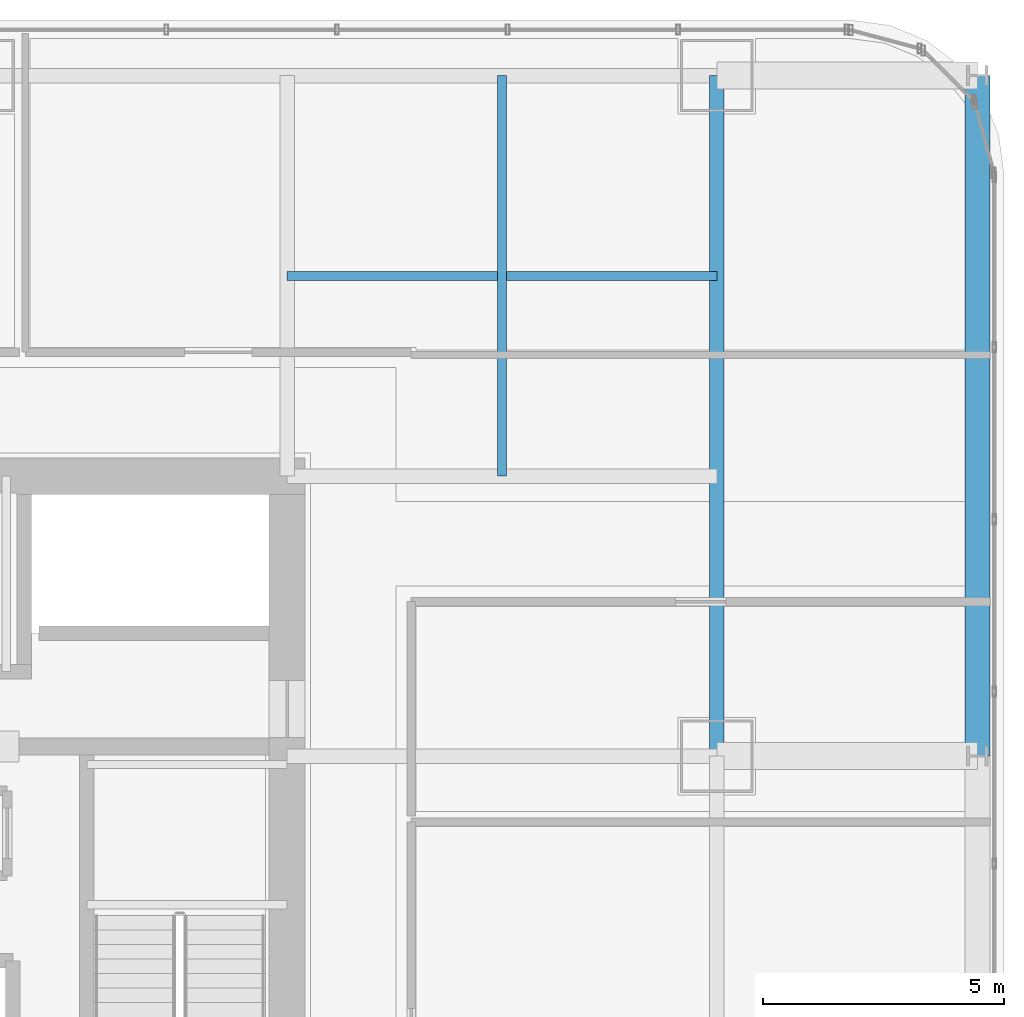
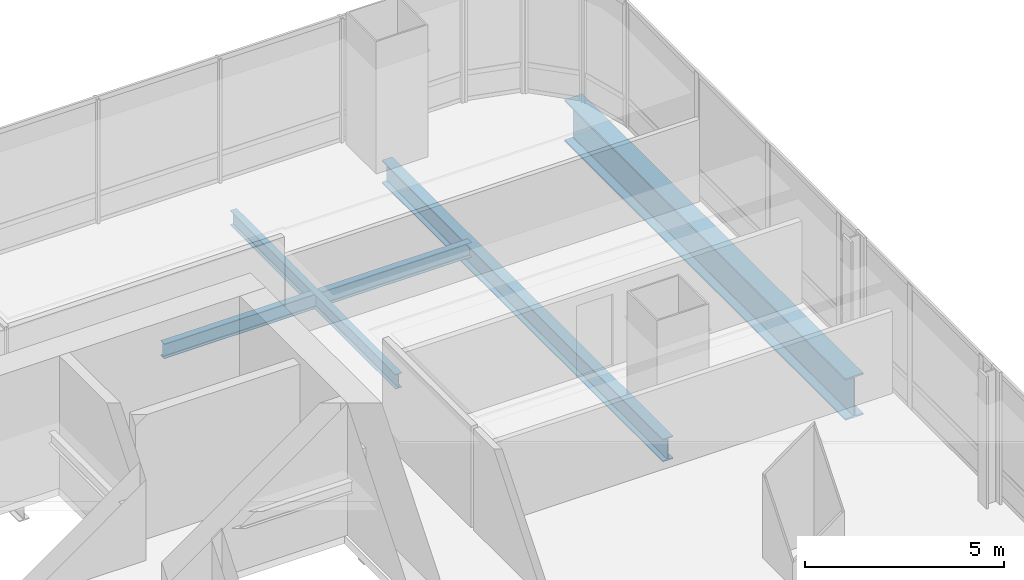
# One storey, part 23 of 35: 4 beams.
"""IFC4 building model written with IfcOpenShell, lengths in metres."""

from ifc_helpers import new_model, si_unit, direction, frame, origin, origin_2d, place, context, subcontext, project, spatial, i_section, extrude, material, material_profile, profile_set, type_object, element, save


model = new_model("IFC4")

# Units and contexts
model_context = context("Model", 3, precision=1e-05, world=origin(), true_north=direction((0.0, 1.0)))
body_context = subcontext(model_context, "Body", "Model", "MODEL_VIEW")
ifc_project = project(units=[si_unit("LENGTHUNIT", "METRE"), si_unit("AREAUNIT", "SQUARE_METRE"), si_unit("VOLUMEUNIT", "CUBIC_METRE"), si_unit("PLANEANGLEUNIT", "RADIAN"), si_unit("MASSUNIT", "GRAM", prefix="KILO")], contexts=[model_context])

# Site, building, storey
site_placement = place(None, origin())
site = spatial("IfcSite", under=ifc_project, at=site_placement, CompositionType="ELEMENT")
building_placement = place(site_placement, origin())
building = spatial("IfcBuilding", under=site, at=building_placement, Name="Punatoya Terracotta Tower", CompositionType="ELEMENT")
storey_placement = place(building_placement, frame((0.0, 0.0, 68.699951171875)))
storey = spatial("IfcBuildingStorey", under=building, at=storey_placement, Name="L15", CompositionType="ELEMENT", Elevation=68.699951171875)

# Beams
ifc_material_1 = material(Name="Steel S355", Category="steel")
ifc_material_profile_1 = material_profile(ifc_material_1, i_section(OverallWidth=0.300048828125, OverallDepth=0.699951171875, WebThickness=0.01708984375, FlangeThickness=0.031982421875, FilletRadius=0.01806640625, at=origin_2d()))
ifc_profile_set_1 = profile_set([ifc_material_profile_1], Name="Steel S355")
beam_type_1 = type_object("IfcBeamType", Name="BM-PRI-700", PredefinedType="BEAM", material=ifc_profile_set_1)
beam_1_placement = place(storey_placement, frame((19.10009765625, 3.39990234375, -0.58984375), z_axis=(0.0, 1.0, 0.0), x_axis=(-1.0, 0.0, 0.0)))
element("IfcBeam", 1, at=beam_1_placement, inside=storey, type_object=beam_type_1, Name="BM-L15-RG-E3", PredefinedType="BEAM", context=body_context, shape_type="SweptSolid", body=[
    extrude(i_section(OverallWidth=0.300048828125, OverallDepth=0.699951171875, WebThickness=0.01708984375, FlangeThickness=0.031982421875, FilletRadius=0.01806640625, at=origin_2d()), origin(), (0.0, 0.0, 1.0), 14.10009765625),
])
ifc_material_profile_2 = material_profile(ifc_material_1, i_section(OverallWidth=0.18994140625, OverallDepth=0.449951171875, WebThickness=0.009521484375, FlangeThickness=0.0146484375, FilletRadius=0.01806640625, at=origin_2d()))
ifc_profile_set_2 = profile_set([ifc_material_profile_2], Name="Steel S355")
beam_type_2 = type_object("IfcBeamType", Name="BM-SEC-450", PredefinedType="JOIST", material=ifc_profile_set_2)
beam_2_placement = place(storey_placement, frame((10.199951171875, 13.35009765625, -0.46484375), z_axis=(1.0, 0.0, 0.0), x_axis=(0.0, 1.0, 0.0)))
element("IfcBeam", 2, at=beam_2_placement, inside=storey, type_object=beam_type_2, Name="BM-L15-SJN-2", PredefinedType="JOIST", context=body_context, shape_type="SweptSolid", body=[
    extrude(i_section(OverallWidth=0.18994140625, OverallDepth=0.449951171875, WebThickness=0.009521484375, FlangeThickness=0.0146484375, FilletRadius=0.01806640625, at=origin_2d()), origin(), (0.0, 0.0, 1.0), 8.900146484375),
])
beam_3_placement = place(storey_placement, frame((14.64990234375, 9.199951171875, -0.46484375), z_axis=(0.0, 1.0, 0.0), x_axis=(-1.0, 0.0, 0.0)))
element("IfcBeam", 3, at=beam_3_placement, inside=storey, type_object=beam_type_2, Name="BM-L15-SJE-2", PredefinedType="JOIST", context=body_context, shape_type="SweptSolid", body=[
    extrude(i_section(OverallWidth=0.18994140625, OverallDepth=0.449951171875, WebThickness=0.009521484375, FlangeThickness=0.0146484375, FilletRadius=0.01806640625, at=origin_2d()), origin(), (0.0, 0.0, 1.0), 8.300048828125),
])
ifc_material_2 = material(Name="Steel S460", Category="steel")
ifc_material_profile_3 = material_profile(ifc_material_2, i_section(OverallWidth=0.52001953125, OverallDepth=1.280029296875, WebThickness=0.031982421875, FlangeThickness=0.050048828125, FilletRadius=0.01806640625, at=origin_2d()))
ifc_profile_set_3 = profile_set([ifc_material_profile_3], Name="Steel S460")
beam_type_3 = type_object("IfcBeamType", Name="BM-TG-NCK", PredefinedType="BEAM", material=ifc_profile_set_3)
beam_4_placement = place(storey_placement, frame((24.5, 3.39990234375, -0.8798828125), z_axis=(0.0, 1.0, 0.0), x_axis=(-1.0, 0.0, 0.0)))
element("IfcBeam", 4, at=beam_4_placement, inside=storey, type_object=beam_type_3, Name="BM-L15-PER-E3", PredefinedType="BEAM", context=body_context, shape_type="SweptSolid", body=[
    extrude(i_section(OverallWidth=0.52001953125, OverallDepth=1.280029296875, WebThickness=0.031982421875, FlangeThickness=0.050048828125, FilletRadius=0.01806640625, at=origin_2d()), origin(), (0.0, 0.0, 1.0), 14.10009765625),
])

save(model, "model.ifc")
